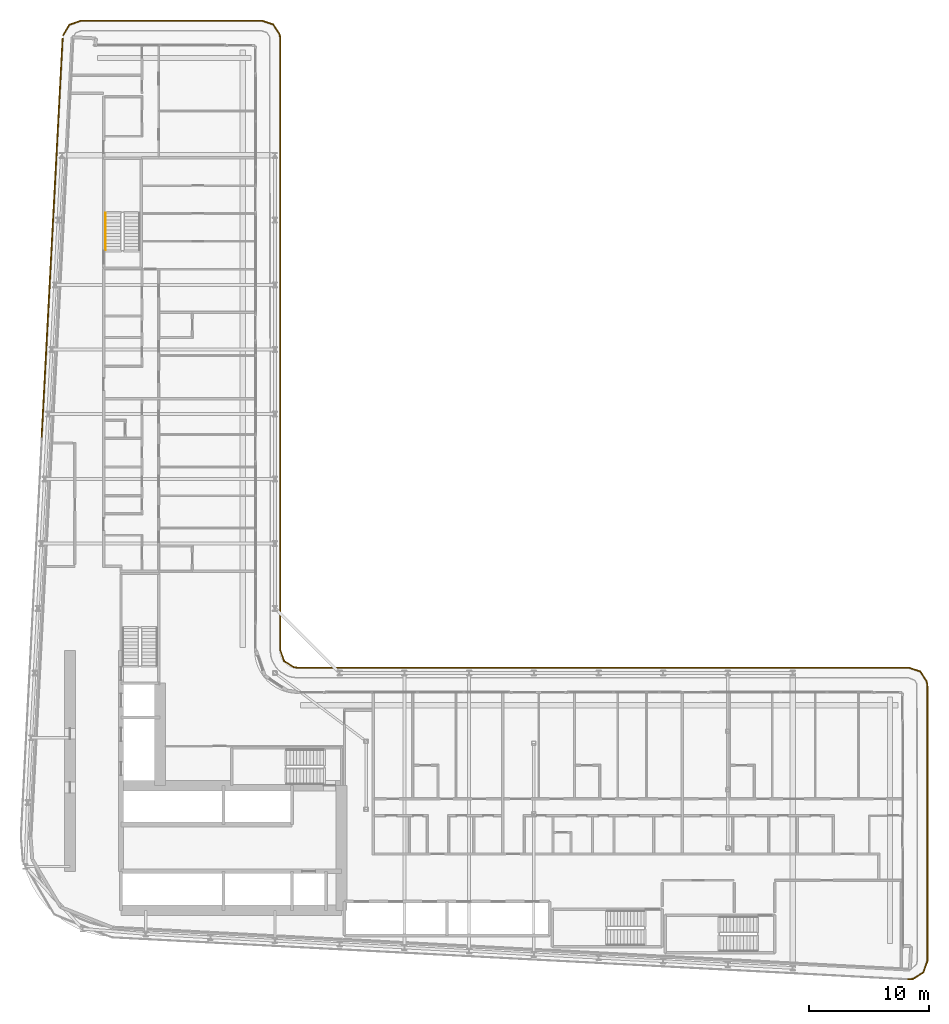
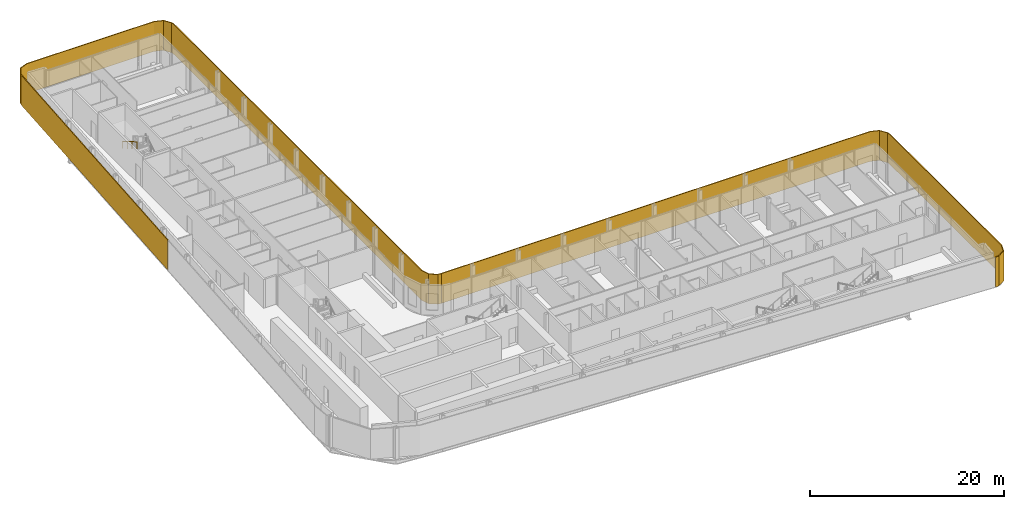
# One storey, part 27 of 29: 3 shading devices, 1 railing.
"""IFC4 building model written with IfcOpenShell, lengths in metres."""

from ifc_helpers import new_model, si_unit, direction, frame, origin, origin_2d, place, context, subcontext, project, spatial, polyline, rectangle, circle, outline, extrude, material, layer, layer_set, type_object, element, save


model = new_model("IFC4")

# Units and contexts
model_context = context("Model", 3, precision=1e-05, world=origin(), true_north=direction((0.0, 1.0)))
body_context = subcontext(model_context, "Body", "Model", "MODEL_VIEW")
ifc_project = project(units=[si_unit("LENGTHUNIT", "METRE"), si_unit("AREAUNIT", "SQUARE_METRE"), si_unit("VOLUMEUNIT", "CUBIC_METRE"), si_unit("PLANEANGLEUNIT", "RADIAN"), si_unit("MASSUNIT", "GRAM", prefix="KILO")], contexts=[model_context])

# Site, building, storey
site_placement = place(None, origin())
site = spatial("IfcSite", under=ifc_project, at=site_placement, CompositionType="ELEMENT")
building_placement = place(site_placement, origin())
building = spatial("IfcBuilding", under=site, at=building_placement, Name="Kheshtan School and Residences Tower", CompositionType="ELEMENT")
storey_placement = place(building_placement, frame((0.0, 0.0, 121.39990234375)))
storey = spatial("IfcBuildingStorey", under=building, at=storey_placement, Name="L28", CompositionType="ELEMENT", Elevation=121.39990234375)

# Shading devices
ifc_material_1 = material(Name="Terracotta baguette, extruded ceramic", Category="masonry")
ifc_layer_1 = layer(ifc_material_1, 0.10009765625)
ifc_layer_set_1 = layer_set([ifc_layer_1], Name="Ledge screen, terracotta baguettes")
shading_device_type_1 = type_object("IfcShadingDeviceType", Name="Ledge screen, terracotta baguettes", PredefinedType="USERDEFINED", material=ifc_layer_set_1)
shading_device_1_placement = place(storey_placement, frame((28.9990234375, 81.93408203125, 0.0), z_axis=(0.0, 0.0, 1.0), x_axis=(0.052562536748, 0.998617634398, 0.0)))
element("IfcShadingDevice", 1, at=shading_device_1_placement, inside=storey, type_object=shading_device_type_1, Name="Screen L28 5", ObjectType="BAGUETTE", PredefinedType="USERDEFINED", context=body_context, shape_type="SweptSolid", body=[
    extrude(rectangle(XDim=33.341064453125, YDim=0.10009765625, at=origin_2d()), origin(), (0.0, 0.0, 1.0), 3.75),
])
ifc_material_2 = material(Name="Terracotta lattice, extruded ceramic", Category="masonry")
ifc_layer_2 = layer(ifc_material_2, 0.10009765625)
ifc_layer_set_2 = layer_set([ifc_layer_2], Name="Loggia screen, terracotta lattice")
shading_device_type_2 = type_object("IfcShadingDeviceType", Name="Loggia screen, terracotta lattice", PredefinedType="USERDEFINED", material=ifc_layer_set_2)
shading_device_2_placement = place(storey_placement, origin())
element("IfcShadingDevice", 2, at=shading_device_2_placement, inside=storey, type_object=shading_device_type_2, Name="Screen L28 1", ObjectType="SCREEN", PredefinedType="USERDEFINED", context=body_context, shape_type="SweptSolid", body=[
    extrude(outline(polyline([(29.949951171875, 98.783935546875), (30.468017578125, 99.656982421875), (31.423095703125, 100.0), (46.5, 100.0), (47.4130859375, 99.68994140625), (47.948974609375, 98.887939453125), (48.0, 98.5), (48.0, 47.5), (48.31005859375, 46.5869140625), (49.112060546875, 46.051025390625), (49.5, 46.0), (49.512939453125, 46.09912109375), (49.14794921875, 46.14697265625), (48.39404296875, 46.65087890625), (48.10009765625, 47.51708984375), (48.10009765625, 98.507080078125), (48.044921875, 98.924072265625), (47.47705078125, 99.77392578125), (46.51708984375, 100.10009765625), (31.406005859375, 100.10009765625), (30.39990234375, 99.739013671875), (29.864013671875, 98.8349609375), (29.949951171875, 98.783935546875)])), origin(), (0.0, 0.0, 1.0), 3.75),
])
shading_device_3_placement = place(storey_placement, origin())
element("IfcShadingDevice", 3, at=shading_device_3_placement, inside=storey, type_object=shading_device_type_2, Name="Screen L28 2", ObjectType="SCREEN", PredefinedType="USERDEFINED", context=body_context, shape_type="SweptSolid", body=[
    extrude(outline(polyline([(49.5, 46.0), (100.5, 46.0), (101.4130859375, 45.68994140625), (101.948974609375, 44.887939453125), (102.0, 44.5), (102.0, 21.5810546875), (101.669921875, 20.64208984375), (100.823974609375, 20.116943359375), (100.4208984375, 20.0830078125), (100.428955078125, 19.98291015625), (100.85595703125, 20.01904296875), (101.7529296875, 20.575927734375), (102.10009765625, 21.56396484375), (102.10009765625, 44.507080078125), (102.044921875, 44.924072265625), (101.47705078125, 45.77392578125), (100.51708984375, 46.10009765625), (49.5, 46.10009765625), (49.5, 46.0)])), origin(), (0.0, 0.0, 1.0), 3.75),
])

# Railing
ifc_material_3 = material(Name="Stainless steel handrail", Category="steel")
railing_type = type_object("IfcRailingType", Name="Stair handrail 900", PredefinedType="HANDRAIL", material=ifc_material_3)
railing_placement = place(storey_placement, frame((33.449951171875, 83.97998046875, 2.112548828125)))
element("IfcRailing", 4, at=railing_placement, inside=storey, type_object=railing_type, Name="L28 ST3 stair handrail 2", PredefinedType="HANDRAIL", context=body_context, shape_type="SweptSolid", body=[
    extrude(circle(Radius=0.02392578125, at=origin_2d()), frame((0.0, 0.0, 0.8759765625), z_axis=(0.0, -0.864890721111, 0.501960198159), x_axis=(1.0, 0.0, 0.0)), (0.0, 0.0, 1.0), 3.561279296875),
    extrude(circle(Radius=0.02099609375, at=origin_2d()), origin(), (0.0, 0.0, 1.0), 0.851806640625),
    extrude(circle(Radius=0.02099609375, at=origin_2d()), frame((0.0, -1.026611328125, 0.595947265625)), (0.0, 0.0, 1.0), 0.851806640625),
    extrude(circle(Radius=0.02099609375, at=origin_2d()), frame((0.0, -2.053466796875, 1.191650390625)), (0.0, 0.0, 1.0), 0.851806640625),
    extrude(circle(Radius=0.02099609375, at=origin_2d()), frame((0.0, -3.080078125, 1.78759765625)), (0.0, 0.0, 1.0), 0.851806640625),
])

save(model, "model.ifc")
